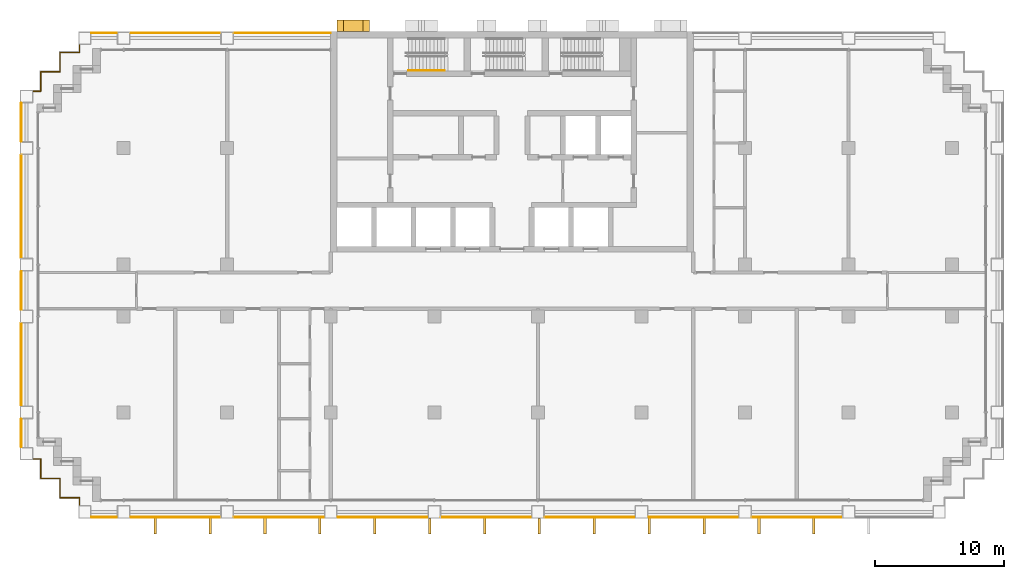
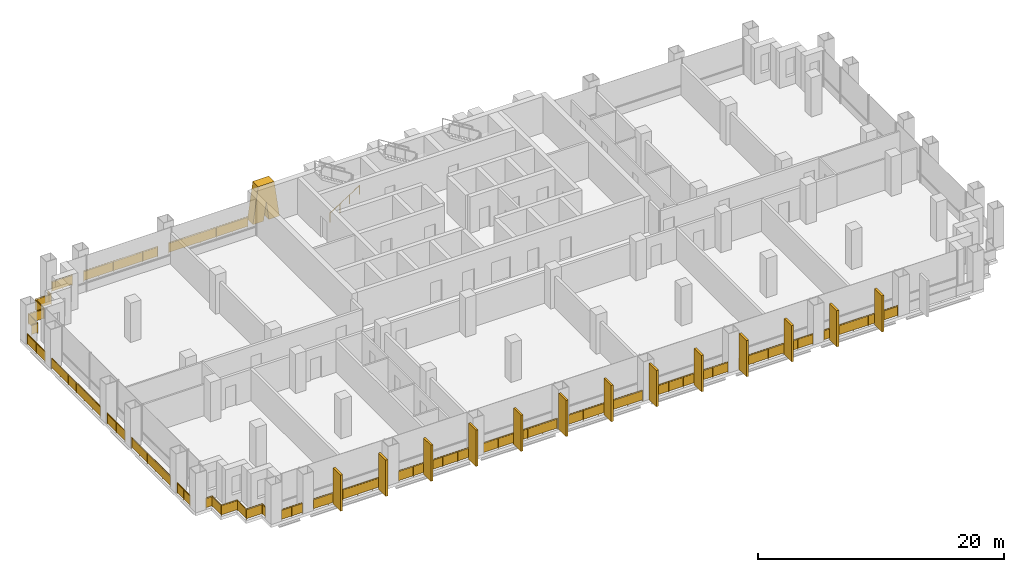
# One storey, part 11 of 13: 19 railings, 14 shading devices.
"""IFC4 building model written with IfcOpenShell, lengths in metres."""

from ifc_helpers import new_model, si_unit, direction, frame, frame_2d, origin, origin_2d, place, context, subcontext, project, spatial, polyline, rectangle, circle, outline, extrude, material, layer, layer_set, type_object, element, save


model = new_model("IFC4")

# Units and contexts
model_context = context("Model", 3, precision=1e-05, world=origin(), true_north=direction((0.0, 1.0)))
body_context = subcontext(model_context, "Body", "Model", "MODEL_VIEW")
ifc_project = project(units=[si_unit("LENGTHUNIT", "METRE"), si_unit("AREAUNIT", "SQUARE_METRE"), si_unit("VOLUMEUNIT", "CUBIC_METRE"), si_unit("PLANEANGLEUNIT", "RADIAN"), si_unit("MASSUNIT", "GRAM", prefix="KILO")], contexts=[model_context])

# Site, building, storey
site_placement = place(None, origin())
site = spatial("IfcSite", under=ifc_project, at=site_placement, CompositionType="ELEMENT")
building_placement = place(site_placement, origin())
building = spatial("IfcBuilding", under=site, at=building_placement, Name="Vidyagriha Tower", CompositionType="ELEMENT")
storey_placement = place(building_placement, frame((0.0, 0.0, 29.89990234375)))
storey = spatial("IfcBuildingStorey", under=building, at=storey_placement, Name="L07", CompositionType="ELEMENT", Elevation=29.89990234375)

# Shading devices
ifc_material_1 = material(Name="Precast concrete C40/50 with brick facing", Category="concrete")
ifc_layer_1 = layer(ifc_material_1, 1.0)
ifc_layer_set_1 = layer_set([ifc_layer_1], Name="Precast concrete C40/50 with brick facing")
shading_device_type_1 = type_object("IfcShadingDeviceType", Name="Brick-faced rear rib forking 8 degrees", PredefinedType="USERDEFINED", material=ifc_layer_set_1)
shading_device_placement = place(storey_placement, frame((-11.0, 20.449951171875, 0.0), z_axis=(0.0, 0.0, 1.0), x_axis=(-1.0, 0.0, 0.0)))
element("IfcShadingDevice", 1, at=shading_device_placement, inside=storey, type_object=shading_device_type_1, Name="Rear rib fork L07 R08.5a", ObjectType="BLADE FIN", PredefinedType="USERDEFINED", context=body_context, shape_type="SweptSolid", body=[
    extrude(outline(polyline([(1.0, 0.0), (1.25, 1.800048828125), (1.5, 0.0), (2.5, 0.0), (2.0, 3.60009765625), (0.5, 3.60009765625), (0.0, 0.0), (1.0, 0.0)])), frame((0.0, 0.449951171875, 0.0), z_axis=(0.0, -1.0, 0.0), x_axis=(1.0, 0.0, 0.0)), (0.0, 0.0, 1.0), 0.89990234375),
])
ifc_material_2 = material(Name="Precast concrete C40/50 with brick facing", Category="concrete")
ifc_layer_2 = layer(ifc_material_2, 0.199951171875)
ifc_layer_set_2 = layer_set([ifc_layer_2], Name="Precast concrete C40/50 with brick facing")
shading_device_type_2 = type_object("IfcShadingDeviceType", Name="Brick-faced solar fin 1200", PredefinedType="USERDEFINED", material=ifc_layer_set_2)
for number, where, z_axis, x_axis, name in (
    (2, (-27.56005859375, -17.60009765625, 0.0), (0.0, 0.0, 1.0), (0.0, -1.0, 0.0), "Solar fin L07 R23.1"),
    (3, (-23.320068359375, -17.60009765625, 0.0), (0.0, 0.0, 1.0), (0.0, -1.0, 0.0), "Solar fin L07 R23.2"),
    (4, (-19.080078125, -17.60009765625, 0.0), (0.0, 0.0, 1.0), (0.0, -1.0, 0.0), "Solar fin L07 R23.3"),
    (5, (-14.840087890625, -17.60009765625, 0.0), (0.0, 0.0, 1.0), (0.0, -1.0, 0.0), "Solar fin L07 R23.4"),
    (6, (-10.60009765625, -17.60009765625, 0.0), (0.0, 0.0, 1.0), (0.0, -1.0, 0.0), "Solar fin L07 R23.5"),
    (7, (-6.360107421875, -17.60009765625, 0.0), (0.0, 0.0, 1.0), (0.0, -1.0, 0.0), "Solar fin L07 R23.6"),
    (8, (-2.1201171875, -17.60009765625, 0.0), (0.0, 0.0, 1.0), (0.0, -1.0, 0.0), "Solar fin L07 R23.7"),
    (9, (2.1201171875, -17.60009765625, 0.0), (0.0, 0.0, 1.0), (0.0, -1.0, 0.0), "Solar fin L07 R23.8"),
    (10, (6.360107421875, -17.60009765625, 0.0), (0.0, 0.0, 1.0), (0.0, -1.0, 0.0), "Solar fin L07 R23.9"),
    (11, (10.60009765625, -17.60009765625, 0.0), (0.0, 0.0, 1.0), (0.0, -1.0, 0.0), "Solar fin L07 R23.10"),
    (12, (14.840087890625, -17.60009765625, 0.0), (0.0, 0.0, 1.0), (0.0, -1.0, 0.0), "Solar fin L07 R23.11"),
    (13, (19.080078125, -17.60009765625, 0.0), (0.0, 0.0, 1.0), (0.0, -1.0, 0.0), "Solar fin L07 R23.12"),
    (14, (23.320068359375, -17.60009765625, 0.0), (0.0, 0.0, 1.0), (0.0, -1.0, 0.0), "Solar fin L07 R23.13"),
):
    element("IfcShadingDevice", number, at=place(storey_placement, frame(where, z_axis=z_axis, x_axis=x_axis)), inside=storey, type_object=shading_device_type_2, Name=name, ObjectType="SOLAR FIN", PredefinedType="USERDEFINED", context=body_context, shape_type="SweptSolid", body=[
        extrude(rectangle(XDim=1.199951171875, YDim=0.199951171875, at=frame_2d((0.60009765625, 0.0))), origin(), (0.0, 0.0, 1.0), 3.60009765625),
    ])

# Railings
ifc_material_3 = material(Name="Steel ASTM A500 Grade C black painted", Category="steel")
railing_type_1 = type_object("IfcRailingType", Name="Gallery guard 1100", PredefinedType="GUARDRAIL", material=ifc_material_3)
railing_1_placement = place(storey_placement, frame((-37.89990234375, -12.070068359375, 0.0)))
element("IfcRailing", 15, at=railing_1_placement, inside=storey, type_object=railing_type_1, Name="Gallery guard L07 1", PredefinedType="GUARDRAIL", context=body_context, shape_type="SweptSolid", body=[
    extrude(circle(Radius=0.02490234375, at=origin_2d()), frame((0.0, 0.0, 1.0751953125), z_axis=(0.0, 1.0, 0.0), x_axis=(-1.0, 0.0, 0.0)), (0.0, 0.0, 1.0), 2.14013671875),
    extrude(circle(Radius=0.02001953125, at=origin_2d()), origin(), (0.0, 0.0, 1.0), 1.050048828125),
    extrude(circle(Radius=0.02001953125, at=origin_2d()), frame((0.0, 1.070068359375, 0.0)), (0.0, 0.0, 1.0), 1.050048828125),
    extrude(circle(Radius=0.02001953125, at=origin_2d()), frame((0.0, 2.14013671875, 0.0)), (0.0, 0.0, 1.0), 1.050048828125),
    extrude(rectangle(XDim=0.010009765625, YDim=0.900146484375, at=origin_2d()), frame((0.0, 0.0, 0.550048828125), z_axis=(0.0, 1.0, 0.0), x_axis=(-1.0, 0.0, 0.0)), (0.0, 0.0, 1.0), 2.14013671875),
])
railing_2_placement = place(storey_placement, frame((-37.89990234375, -8.8701171875, 0.0)))
element("IfcRailing", 16, at=railing_2_placement, inside=storey, type_object=railing_type_1, Name="Gallery guard L07 2", PredefinedType="GUARDRAIL", context=body_context, shape_type="SweptSolid", body=[
    extrude(circle(Radius=0.02490234375, at=origin_2d()), frame((0.0, 0.0, 1.0751953125), z_axis=(0.0, 1.0, 0.0), x_axis=(-1.0, 0.0, 0.0)), (0.0, 0.0, 1.0), 6.340087890625),
    extrude(circle(Radius=0.02001953125, at=origin_2d()), origin(), (0.0, 0.0, 1.0), 1.050048828125),
    extrude(circle(Radius=0.02001953125, at=origin_2d()), frame((0.0, 1.26806640625, 0.0)), (0.0, 0.0, 1.0), 1.050048828125),
    extrude(circle(Radius=0.02001953125, at=origin_2d()), frame((0.0, 2.5361328125, 0.0)), (0.0, 0.0, 1.0), 1.050048828125),
    extrude(circle(Radius=0.02001953125, at=origin_2d()), frame((0.0, 3.803955078125, 0.0)), (0.0, 0.0, 1.0), 1.050048828125),
    extrude(circle(Radius=0.02001953125, at=origin_2d()), frame((0.0, 5.072021484375, 0.0)), (0.0, 0.0, 1.0), 1.050048828125),
    extrude(circle(Radius=0.02001953125, at=origin_2d()), frame((0.0, 6.340087890625, 0.0)), (0.0, 0.0, 1.0), 1.050048828125),
    extrude(rectangle(XDim=0.010009765625, YDim=0.900146484375, at=origin_2d()), frame((0.0, 0.0, 0.550048828125), z_axis=(0.0, 1.0, 0.0), x_axis=(-1.0, 0.0, 0.0)), (0.0, 0.0, 1.0), 6.340087890625),
])
railing_3_placement = place(storey_placement, frame((-37.89990234375, -1.469970703125, 0.0)))
element("IfcRailing", 17, at=railing_3_placement, inside=storey, type_object=railing_type_1, Name="Gallery guard L07 3", PredefinedType="GUARDRAIL", context=body_context, shape_type="SweptSolid", body=[
    extrude(circle(Radius=0.02490234375, at=origin_2d()), frame((0.0, 0.0, 1.0751953125), z_axis=(0.0, 1.0, 0.0), x_axis=(-1.0, 0.0, 0.0)), (0.0, 0.0, 1.0), 2.93994140625),
    extrude(circle(Radius=0.02001953125, at=origin_2d()), origin(), (0.0, 0.0, 1.0), 1.050048828125),
    extrude(circle(Radius=0.02001953125, at=origin_2d()), frame((0.0, 1.469970703125, 0.0)), (0.0, 0.0, 1.0), 1.050048828125),
    extrude(circle(Radius=0.02001953125, at=origin_2d()), frame((0.0, 2.93994140625, 0.0)), (0.0, 0.0, 1.0), 1.050048828125),
    extrude(rectangle(XDim=0.010009765625, YDim=0.900146484375, at=origin_2d()), frame((0.0, 0.0, 0.550048828125), z_axis=(0.0, 1.0, 0.0), x_axis=(-1.0, 0.0, 0.0)), (0.0, 0.0, 1.0), 2.93994140625),
])
railing_4_placement = place(storey_placement, frame((-37.89990234375, 2.530029296875, 0.0)))
element("IfcRailing", 18, at=railing_4_placement, inside=storey, type_object=railing_type_1, Name="Gallery guard L07 4", PredefinedType="GUARDRAIL", context=body_context, shape_type="SweptSolid", body=[
    extrude(circle(Radius=0.02490234375, at=origin_2d()), frame((0.0, 0.0, 1.0751953125), z_axis=(0.0, 1.0, 0.0), x_axis=(-1.0, 0.0, 0.0)), (0.0, 0.0, 1.0), 7.93994140625),
    extrude(circle(Radius=0.02001953125, at=origin_2d()), origin(), (0.0, 0.0, 1.0), 1.050048828125),
    extrude(circle(Radius=0.02001953125, at=origin_2d()), frame((0.0, 1.3232421875, 0.0)), (0.0, 0.0, 1.0), 1.050048828125),
    extrude(circle(Radius=0.02001953125, at=origin_2d()), frame((0.0, 2.646728515625, 0.0)), (0.0, 0.0, 1.0), 1.050048828125),
    extrude(circle(Radius=0.02001953125, at=origin_2d()), frame((0.0, 3.969970703125, 0.0)), (0.0, 0.0, 1.0), 1.050048828125),
    extrude(circle(Radius=0.02001953125, at=origin_2d()), frame((0.0, 5.293212890625, 0.0)), (0.0, 0.0, 1.0), 1.050048828125),
    extrude(circle(Radius=0.02001953125, at=origin_2d()), frame((0.0, 6.61669921875, 0.0)), (0.0, 0.0, 1.0), 1.050048828125),
    extrude(circle(Radius=0.02001953125, at=origin_2d()), frame((0.0, 7.93994140625, 0.0)), (0.0, 0.0, 1.0), 1.050048828125),
    extrude(rectangle(XDim=0.010009765625, YDim=0.900146484375, at=origin_2d()), frame((0.0, 0.0, 0.550048828125), z_axis=(0.0, 1.0, 0.0), x_axis=(-1.0, 0.0, 0.0)), (0.0, 0.0, 1.0), 7.93994140625),
])
railing_5_placement = place(storey_placement, frame((-37.89990234375, 11.530029296875, 0.0)))
element("IfcRailing", 19, at=railing_5_placement, inside=storey, type_object=railing_type_1, Name="Gallery guard L07 5", PredefinedType="GUARDRAIL", context=body_context, shape_type="SweptSolid", body=[
    extrude(circle(Radius=0.02490234375, at=origin_2d()), frame((0.0, 0.0, 1.0751953125), z_axis=(0.0, 1.0, 0.0), x_axis=(-1.0, 0.0, 0.0)), (0.0, 0.0, 1.0), 2.93994140625),
    extrude(circle(Radius=0.02001953125, at=origin_2d()), origin(), (0.0, 0.0, 1.0), 1.050048828125),
    extrude(circle(Radius=0.02001953125, at=origin_2d()), frame((0.0, 1.469970703125, 0.0)), (0.0, 0.0, 1.0), 1.050048828125),
    extrude(circle(Radius=0.02001953125, at=origin_2d()), frame((0.0, 2.93994140625, 0.0)), (0.0, 0.0, 1.0), 1.050048828125),
    extrude(rectangle(XDim=0.010009765625, YDim=0.900146484375, at=origin_2d()), frame((0.0, 0.0, 0.550048828125), z_axis=(0.0, 1.0, 0.0), x_axis=(-1.0, 0.0, 0.0)), (0.0, 0.0, 1.0), 2.93994140625),
])
railing_6_placement = place(storey_placement, frame((-33.39990234375, -16.570068359375, 0.0)))
element("IfcRailing", 20, at=railing_6_placement, inside=storey, type_object=railing_type_1, Name="Gallery guard L07 6", PredefinedType="GUARDRAIL", context=body_context, shape_type="SweptSolid", body=[
    extrude(circle(Radius=0.02490234375, at=origin_2d()), frame((0.0, 0.0, 1.0751953125), z_axis=(0.0, 1.0, 0.0), x_axis=(-1.0, 0.0, 0.0)), (0.0, 0.0, 1.0), 0.570068359375),
    extrude(circle(Radius=0.02490234375, at=origin_2d()), frame((0.0, 0.570068359375, 1.0751953125), z_axis=(-1.0, 0.0, 0.0), x_axis=(0.0, -1.0, 0.0)), (0.0, 0.0, 1.0), 1.5),
    extrude(circle(Radius=0.02490234375, at=origin_2d()), frame((-1.5, 0.570068359375, 1.0751953125), z_axis=(0.0, 1.0, 0.0), x_axis=(-1.0, 0.0, 0.0)), (0.0, 0.0, 1.0), 1.5),
    extrude(circle(Radius=0.02490234375, at=origin_2d()), frame((-1.5, 2.070068359375, 1.0751953125), z_axis=(-1.0, 0.0, 0.0), x_axis=(0.0, -1.0, 0.0)), (0.0, 0.0, 1.0), 1.5),
    extrude(circle(Radius=0.02490234375, at=origin_2d()), frame((-3.0, 2.070068359375, 1.0751953125), z_axis=(0.0, 1.0, 0.0), x_axis=(-1.0, 0.0, 0.0)), (0.0, 0.0, 1.0), 1.5),
    extrude(circle(Radius=0.02490234375, at=origin_2d()), frame((-3.0, 3.570068359375, 1.0751953125), z_axis=(-1.0, 0.0, 0.0), x_axis=(0.0, -1.0, 0.0)), (0.0, 0.0, 1.0), 0.570068359375),
    extrude(circle(Radius=0.02001953125, at=origin_2d()), origin(), (0.0, 0.0, 1.0), 1.050048828125),
    extrude(circle(Radius=0.02001953125, at=origin_2d()), frame((0.0, 0.570068359375, 0.0)), (0.0, 0.0, 1.0), 1.050048828125),
    extrude(circle(Radius=0.02001953125, at=origin_2d()), frame((-1.5, 0.570068359375, 0.0)), (0.0, 0.0, 1.0), 1.050048828125),
    extrude(circle(Radius=0.02001953125, at=origin_2d()), frame((-1.5, 2.070068359375, 0.0)), (0.0, 0.0, 1.0), 1.050048828125),
    extrude(circle(Radius=0.02001953125, at=origin_2d()), frame((-3.0, 2.070068359375, 0.0)), (0.0, 0.0, 1.0), 1.050048828125),
    extrude(circle(Radius=0.02001953125, at=origin_2d()), frame((-3.0, 3.570068359375, 0.0)), (0.0, 0.0, 1.0), 1.050048828125),
    extrude(circle(Radius=0.02001953125, at=origin_2d()), frame((-3.570068359375, 3.570068359375, 0.0)), (0.0, 0.0, 1.0), 1.050048828125),
    extrude(rectangle(XDim=0.010009765625, YDim=0.900146484375, at=origin_2d()), frame((0.0, 0.0, 0.550048828125), z_axis=(0.0, 1.0, 0.0), x_axis=(-1.0, 0.0, 0.0)), (0.0, 0.0, 1.0), 0.570068359375),
    extrude(rectangle(XDim=0.010009765625, YDim=0.900146484375, at=origin_2d()), frame((0.0, 0.570068359375, 0.550048828125), z_axis=(-1.0, 0.0, 0.0), x_axis=(0.0, -1.0, 0.0)), (0.0, 0.0, 1.0), 1.5),
    extrude(rectangle(XDim=0.010009765625, YDim=0.900146484375, at=origin_2d()), frame((-1.5, 0.570068359375, 0.550048828125), z_axis=(0.0, 1.0, 0.0), x_axis=(-1.0, 0.0, 0.0)), (0.0, 0.0, 1.0), 1.5),
    extrude(rectangle(XDim=0.010009765625, YDim=0.900146484375, at=origin_2d()), frame((-1.5, 2.070068359375, 0.550048828125), z_axis=(-1.0, 0.0, 0.0), x_axis=(0.0, -1.0, 0.0)), (0.0, 0.0, 1.0), 1.5),
    extrude(rectangle(XDim=0.010009765625, YDim=0.900146484375, at=origin_2d()), frame((-3.0, 2.070068359375, 0.550048828125), z_axis=(0.0, 1.0, 0.0), x_axis=(-1.0, 0.0, 0.0)), (0.0, 0.0, 1.0), 1.5),
    extrude(rectangle(XDim=0.010009765625, YDim=0.900146484375, at=origin_2d()), frame((-3.0, 3.570068359375, 0.550048828125), z_axis=(-1.0, 0.0, 0.0), x_axis=(0.0, -1.0, 0.0)), (0.0, 0.0, 1.0), 0.570068359375),
])
railing_7_placement = place(storey_placement, frame((-36.969970703125, 15.39990234375, 0.0)))
element("IfcRailing", 21, at=railing_7_placement, inside=storey, type_object=railing_type_1, Name="Gallery guard L07 7", PredefinedType="GUARDRAIL", context=body_context, shape_type="SweptSolid", body=[
    extrude(circle(Radius=0.02490234375, at=origin_2d()), frame((0.0, 0.0, 1.0751953125), z_axis=(1.0, 0.0, 0.0), x_axis=(0.0, 1.0, 0.0)), (0.0, 0.0, 1.0), 0.570068359375),
    extrude(circle(Radius=0.02490234375, at=origin_2d()), frame((0.570068359375, 0.0, 1.0751953125), z_axis=(0.0, 1.0, 0.0), x_axis=(-1.0, 0.0, 0.0)), (0.0, 0.0, 1.0), 1.5),
    extrude(circle(Radius=0.02490234375, at=origin_2d()), frame((0.570068359375, 1.5, 1.0751953125), z_axis=(1.0, 0.0, 0.0), x_axis=(0.0, 1.0, 0.0)), (0.0, 0.0, 1.0), 1.5),
    extrude(circle(Radius=0.02490234375, at=origin_2d()), frame((2.070068359375, 1.5, 1.0751953125), z_axis=(0.0, 1.0, 0.0), x_axis=(-1.0, 0.0, 0.0)), (0.0, 0.0, 1.0), 1.5),
    extrude(circle(Radius=0.02490234375, at=origin_2d()), frame((2.070068359375, 3.0, 1.0751953125), z_axis=(1.0, 0.0, 0.0), x_axis=(0.0, 1.0, 0.0)), (0.0, 0.0, 1.0), 1.5),
    extrude(circle(Radius=0.02490234375, at=origin_2d()), frame((3.570068359375, 3.0, 1.0751953125), z_axis=(0.0, 1.0, 0.0), x_axis=(-1.0, 0.0, 0.0)), (0.0, 0.0, 1.0), 0.570068359375),
    extrude(circle(Radius=0.02001953125, at=origin_2d()), origin(), (0.0, 0.0, 1.0), 1.050048828125),
    extrude(circle(Radius=0.02001953125, at=origin_2d()), frame((0.570068359375, 0.0, 0.0)), (0.0, 0.0, 1.0), 1.050048828125),
    extrude(circle(Radius=0.02001953125, at=origin_2d()), frame((0.570068359375, 1.5, 0.0)), (0.0, 0.0, 1.0), 1.050048828125),
    extrude(circle(Radius=0.02001953125, at=origin_2d()), frame((2.070068359375, 1.5, 0.0)), (0.0, 0.0, 1.0), 1.050048828125),
    extrude(circle(Radius=0.02001953125, at=origin_2d()), frame((2.070068359375, 3.0, 0.0)), (0.0, 0.0, 1.0), 1.050048828125),
    extrude(circle(Radius=0.02001953125, at=origin_2d()), frame((3.570068359375, 3.0, 0.0)), (0.0, 0.0, 1.0), 1.050048828125),
    extrude(circle(Radius=0.02001953125, at=origin_2d()), frame((3.570068359375, 3.570068359375, 0.0)), (0.0, 0.0, 1.0), 1.050048828125),
    extrude(rectangle(XDim=0.010009765625, YDim=0.900146484375, at=origin_2d()), frame((0.0, 0.0, 0.550048828125), z_axis=(1.0, 0.0, 0.0), x_axis=(0.0, 1.0, 0.0)), (0.0, 0.0, 1.0), 0.570068359375),
    extrude(rectangle(XDim=0.010009765625, YDim=0.900146484375, at=origin_2d()), frame((0.570068359375, 0.0, 0.550048828125), z_axis=(0.0, 1.0, 0.0), x_axis=(-1.0, 0.0, 0.0)), (0.0, 0.0, 1.0), 1.5),
    extrude(rectangle(XDim=0.010009765625, YDim=0.900146484375, at=origin_2d()), frame((0.570068359375, 1.5, 0.550048828125), z_axis=(1.0, 0.0, 0.0), x_axis=(0.0, 1.0, 0.0)), (0.0, 0.0, 1.0), 1.5),
    extrude(rectangle(XDim=0.010009765625, YDim=0.900146484375, at=origin_2d()), frame((2.070068359375, 1.5, 0.550048828125), z_axis=(0.0, 1.0, 0.0), x_axis=(-1.0, 0.0, 0.0)), (0.0, 0.0, 1.0), 1.5),
    extrude(rectangle(XDim=0.010009765625, YDim=0.900146484375, at=origin_2d()), frame((2.070068359375, 3.0, 0.550048828125), z_axis=(1.0, 0.0, 0.0), x_axis=(0.0, 1.0, 0.0)), (0.0, 0.0, 1.0), 1.5),
    extrude(rectangle(XDim=0.010009765625, YDim=0.900146484375, at=origin_2d()), frame((3.570068359375, 3.0, 0.550048828125), z_axis=(0.0, 1.0, 0.0), x_axis=(-1.0, 0.0, 0.0)), (0.0, 0.0, 1.0), 0.570068359375),
])
railing_8_placement = place(storey_placement, frame((-30.530029296875, -17.5, 0.0)))
element("IfcRailing", 22, at=railing_8_placement, inside=storey, type_object=railing_type_1, Name="Gallery guard L07 8", PredefinedType="GUARDRAIL", context=body_context, shape_type="SweptSolid", body=[
    extrude(circle(Radius=0.02490234375, at=origin_2d()), frame((0.0, 0.0, 1.0751953125), z_axis=(-1.0, 0.0, 0.0), x_axis=(0.0, -1.0, 0.0)), (0.0, 0.0, 1.0), 1.93994140625),
    extrude(circle(Radius=0.02001953125, at=origin_2d()), origin(), (0.0, 0.0, 1.0), 1.050048828125),
    extrude(circle(Radius=0.02001953125, at=origin_2d()), frame((-0.969970703125, 0.0, 0.0)), (0.0, 0.0, 1.0), 1.050048828125),
    extrude(circle(Radius=0.02001953125, at=origin_2d()), frame((-1.93994140625, 0.0, 0.0)), (0.0, 0.0, 1.0), 1.050048828125),
    extrude(rectangle(XDim=0.010009765625, YDim=0.900146484375, at=origin_2d()), frame((0.0, 0.0, 0.550048828125), z_axis=(-1.0, 0.0, 0.0), x_axis=(0.0, -1.0, 0.0)), (0.0, 0.0, 1.0), 1.93994140625),
])
railing_9_placement = place(storey_placement, frame((-32.469970703125, 19.89990234375, 0.0)))
element("IfcRailing", 23, at=railing_9_placement, inside=storey, type_object=railing_type_1, Name="Gallery guard L07 9", PredefinedType="GUARDRAIL", context=body_context, shape_type="SweptSolid", body=[
    extrude(circle(Radius=0.02490234375, at=origin_2d()), frame((0.0, 0.0, 1.0751953125), z_axis=(1.0, 0.0, 0.0), x_axis=(0.0, 1.0, 0.0)), (0.0, 0.0, 1.0), 1.93994140625),
    extrude(circle(Radius=0.02001953125, at=origin_2d()), origin(), (0.0, 0.0, 1.0), 1.050048828125),
    extrude(circle(Radius=0.02001953125, at=origin_2d()), frame((0.969970703125, 0.0, 0.0)), (0.0, 0.0, 1.0), 1.050048828125),
    extrude(circle(Radius=0.02001953125, at=origin_2d()), frame((1.93994140625, 0.0, 0.0)), (0.0, 0.0, 1.0), 1.050048828125),
    extrude(rectangle(XDim=0.010009765625, YDim=0.900146484375, at=origin_2d()), frame((0.0, 0.0, 0.550048828125), z_axis=(1.0, 0.0, 0.0), x_axis=(0.0, 1.0, 0.0)), (0.0, 0.0, 1.0), 1.93994140625),
])
railing_10_placement = place(storey_placement, frame((-22.530029296875, -17.5, 0.0)))
element("IfcRailing", 24, at=railing_10_placement, inside=storey, type_object=railing_type_1, Name="Gallery guard L07 10", PredefinedType="GUARDRAIL", context=body_context, shape_type="SweptSolid", body=[
    extrude(circle(Radius=0.02490234375, at=origin_2d()), frame((0.0, 0.0, 1.0751953125), z_axis=(-1.0, 0.0, 0.0), x_axis=(0.0, -1.0, 0.0)), (0.0, 0.0, 1.0), 6.93994140625),
    extrude(circle(Radius=0.02001953125, at=origin_2d()), origin(), (0.0, 0.0, 1.0), 1.050048828125),
    extrude(circle(Radius=0.02001953125, at=origin_2d()), frame((-1.387939453125, 0.0, 0.0)), (0.0, 0.0, 1.0), 1.050048828125),
    extrude(circle(Radius=0.02001953125, at=origin_2d()), frame((-2.77587890625, 0.0, 0.0)), (0.0, 0.0, 1.0), 1.050048828125),
    extrude(circle(Radius=0.02001953125, at=origin_2d()), frame((-4.1640625, 0.0, 0.0)), (0.0, 0.0, 1.0), 1.050048828125),
    extrude(circle(Radius=0.02001953125, at=origin_2d()), frame((-5.552001953125, 0.0, 0.0)), (0.0, 0.0, 1.0), 1.050048828125),
    extrude(circle(Radius=0.02001953125, at=origin_2d()), frame((-6.93994140625, 0.0, 0.0)), (0.0, 0.0, 1.0), 1.050048828125),
    extrude(rectangle(XDim=0.010009765625, YDim=0.900146484375, at=origin_2d()), frame((0.0, 0.0, 0.550048828125), z_axis=(-1.0, 0.0, 0.0), x_axis=(0.0, -1.0, 0.0)), (0.0, 0.0, 1.0), 6.93994140625),
])
railing_11_placement = place(storey_placement, frame((-29.469970703125, 19.89990234375, 0.0)))
element("IfcRailing", 25, at=railing_11_placement, inside=storey, type_object=railing_type_1, Name="Gallery guard L07 11", PredefinedType="GUARDRAIL", context=body_context, shape_type="SweptSolid", body=[
    extrude(circle(Radius=0.02490234375, at=origin_2d()), frame((0.0, 0.0, 1.0751953125), z_axis=(1.0, 0.0, 0.0), x_axis=(0.0, 1.0, 0.0)), (0.0, 0.0, 1.0), 6.93994140625),
    extrude(circle(Radius=0.02001953125, at=origin_2d()), origin(), (0.0, 0.0, 1.0), 1.050048828125),
    extrude(circle(Radius=0.02001953125, at=origin_2d()), frame((1.387939453125, 0.0, 0.0)), (0.0, 0.0, 1.0), 1.050048828125),
    extrude(circle(Radius=0.02001953125, at=origin_2d()), frame((2.77587890625, 0.0, 0.0)), (0.0, 0.0, 1.0), 1.050048828125),
    extrude(circle(Radius=0.02001953125, at=origin_2d()), frame((4.1640625, 0.0, 0.0)), (0.0, 0.0, 1.0), 1.050048828125),
    extrude(circle(Radius=0.02001953125, at=origin_2d()), frame((5.552001953125, 0.0, 0.0)), (0.0, 0.0, 1.0), 1.050048828125),
    extrude(circle(Radius=0.02001953125, at=origin_2d()), frame((6.93994140625, 0.0, 0.0)), (0.0, 0.0, 1.0), 1.050048828125),
    extrude(rectangle(XDim=0.010009765625, YDim=0.900146484375, at=origin_2d()), frame((0.0, 0.0, 0.550048828125), z_axis=(1.0, 0.0, 0.0), x_axis=(0.0, 1.0, 0.0)), (0.0, 0.0, 1.0), 6.93994140625),
])
railing_12_placement = place(storey_placement, frame((-14.530029296875, -17.5, 0.0)))
element("IfcRailing", 26, at=railing_12_placement, inside=storey, type_object=railing_type_1, Name="Gallery guard L07 12", PredefinedType="GUARDRAIL", context=body_context, shape_type="SweptSolid", body=[
    extrude(circle(Radius=0.02490234375, at=origin_2d()), frame((0.0, 0.0, 1.0751953125), z_axis=(-1.0, 0.0, 0.0), x_axis=(0.0, -1.0, 0.0)), (0.0, 0.0, 1.0), 6.93994140625),
    extrude(circle(Radius=0.02001953125, at=origin_2d()), origin(), (0.0, 0.0, 1.0), 1.050048828125),
    extrude(circle(Radius=0.02001953125, at=origin_2d()), frame((-1.387939453125, 0.0, 0.0)), (0.0, 0.0, 1.0), 1.050048828125),
    extrude(circle(Radius=0.02001953125, at=origin_2d()), frame((-2.77587890625, 0.0, 0.0)), (0.0, 0.0, 1.0), 1.050048828125),
    extrude(circle(Radius=0.02001953125, at=origin_2d()), frame((-4.1640625, 0.0, 0.0)), (0.0, 0.0, 1.0), 1.050048828125),
    extrude(circle(Radius=0.02001953125, at=origin_2d()), frame((-5.552001953125, 0.0, 0.0)), (0.0, 0.0, 1.0), 1.050048828125),
    extrude(circle(Radius=0.02001953125, at=origin_2d()), frame((-6.93994140625, 0.0, 0.0)), (0.0, 0.0, 1.0), 1.050048828125),
    extrude(rectangle(XDim=0.010009765625, YDim=0.900146484375, at=origin_2d()), frame((0.0, 0.0, 0.550048828125), z_axis=(-1.0, 0.0, 0.0), x_axis=(0.0, -1.0, 0.0)), (0.0, 0.0, 1.0), 6.93994140625),
])
railing_13_placement = place(storey_placement, frame((-21.469970703125, 19.89990234375, 0.0)))
element("IfcRailing", 27, at=railing_13_placement, inside=storey, type_object=railing_type_1, Name="Gallery guard L07 13", PredefinedType="GUARDRAIL", context=body_context, shape_type="SweptSolid", body=[
    extrude(circle(Radius=0.02490234375, at=origin_2d()), frame((0.0, 0.0, 1.0751953125), z_axis=(1.0, 0.0, 0.0), x_axis=(0.0, 1.0, 0.0)), (0.0, 0.0, 1.0), 7.43994140625),
    extrude(circle(Radius=0.02001953125, at=origin_2d()), origin(), (0.0, 0.0, 1.0), 1.050048828125),
    extrude(circle(Radius=0.02001953125, at=origin_2d()), frame((1.488037109375, 0.0, 0.0)), (0.0, 0.0, 1.0), 1.050048828125),
    extrude(circle(Radius=0.02001953125, at=origin_2d()), frame((2.97607421875, 0.0, 0.0)), (0.0, 0.0, 1.0), 1.050048828125),
    extrude(circle(Radius=0.02001953125, at=origin_2d()), frame((4.4638671875, 0.0, 0.0)), (0.0, 0.0, 1.0), 1.050048828125),
    extrude(circle(Radius=0.02001953125, at=origin_2d()), frame((5.951904296875, 0.0, 0.0)), (0.0, 0.0, 1.0), 1.050048828125),
    extrude(circle(Radius=0.02001953125, at=origin_2d()), frame((7.43994140625, 0.0, 0.0)), (0.0, 0.0, 1.0), 1.050048828125),
    extrude(rectangle(XDim=0.010009765625, YDim=0.900146484375, at=origin_2d()), frame((0.0, 0.0, 0.550048828125), z_axis=(1.0, 0.0, 0.0), x_axis=(0.0, 1.0, 0.0)), (0.0, 0.0, 1.0), 7.43994140625),
])
for number, where, name in (
    (28, (-6.530029296875, -17.5, 0.0), "Gallery guard L07 14"),
    (29, (1.469970703125, -17.5, 0.0), "Gallery guard L07 15"),
    (30, (9.469970703125, -17.5, 0.0), "Gallery guard L07 16"),
    (31, (17.469970703125, -17.5, 0.0), "Gallery guard L07 17"),
    (32, (25.469970703125, -17.5, 0.0), "Gallery guard L07 19"),
):
    element("IfcRailing", number, at=place(storey_placement, frame(where)), inside=storey, type_object=railing_type_1, Name=name, PredefinedType="GUARDRAIL", context=body_context, shape_type="SweptSolid", body=[
        extrude(circle(Radius=0.02490234375, at=origin_2d()), frame((0.0, 0.0, 1.0751953125), z_axis=(-1.0, 0.0, 0.0), x_axis=(0.0, -1.0, 0.0)), (0.0, 0.0, 1.0), 6.93994140625),
        extrude(circle(Radius=0.02001953125, at=origin_2d()), origin(), (0.0, 0.0, 1.0), 1.050048828125),
        extrude(circle(Radius=0.02001953125, at=origin_2d()), frame((-1.387939453125, 0.0, 0.0)), (0.0, 0.0, 1.0), 1.050048828125),
        extrude(circle(Radius=0.02001953125, at=origin_2d()), frame((-2.77587890625, 0.0, 0.0)), (0.0, 0.0, 1.0), 1.050048828125),
        extrude(circle(Radius=0.02001953125, at=origin_2d()), frame((-4.1640625, 0.0, 0.0)), (0.0, 0.0, 1.0), 1.050048828125),
        extrude(circle(Radius=0.02001953125, at=origin_2d()), frame((-5.552001953125, 0.0, 0.0)), (0.0, 0.0, 1.0), 1.050048828125),
        extrude(circle(Radius=0.02001953125, at=origin_2d()), frame((-6.93994140625, 0.0, 0.0)), (0.0, 0.0, 1.0), 1.050048828125),
        extrude(rectangle(XDim=0.010009765625, YDim=0.900146484375, at=origin_2d()), frame((0.0, 0.0, 0.550048828125), z_axis=(-1.0, 0.0, 0.0), x_axis=(0.0, -1.0, 0.0)), (0.0, 0.0, 1.0), 6.93994140625),
    ])
ifc_material_4 = material(Name="Steel ASTM A500 Grade C", Category="steel")
railing_type_2 = type_object("IfcRailingType", Name="Stair handrail 900 mm, steel", PredefinedType="HANDRAIL", material=ifc_material_4)
railing_14_placement = place(storey_placement, frame((-8.0, 17.0, 0.177490234375)))
element("IfcRailing", 33, at=railing_14_placement, inside=storey, type_object=railing_type_2, Name="L07 ST1 stair handrail 1", PredefinedType="HANDRAIL", context=body_context, shape_type="SweptSolid", body=[
    extrude(circle(Radius=0.02392578125, at=origin_2d()), frame((0.0, 0.0, 0.8759765625), z_axis=(0.844908973607, 0.0, 0.534910110503), x_axis=(0.0, 1.0, 0.0)), (0.0, 0.0, 1.0), 3.31396484375),
    extrude(circle(Radius=0.02099609375, at=origin_2d()), origin(), (0.0, 0.0, 1.0), 0.851806640625),
    extrude(circle(Radius=0.02099609375, at=origin_2d()), frame((0.933349609375, 0.0, 0.5908203125)), (0.0, 0.0, 1.0), 0.851806640625),
    extrude(circle(Radius=0.02099609375, at=origin_2d()), frame((1.86669921875, 0.0, 1.181884765625)), (0.0, 0.0, 1.0), 0.851806640625),
    extrude(circle(Radius=0.02099609375, at=origin_2d()), frame((2.800048828125, 0.0, 1.772705078125)), (0.0, 0.0, 1.0), 0.851806640625),
])

save(model, "model.ifc")
